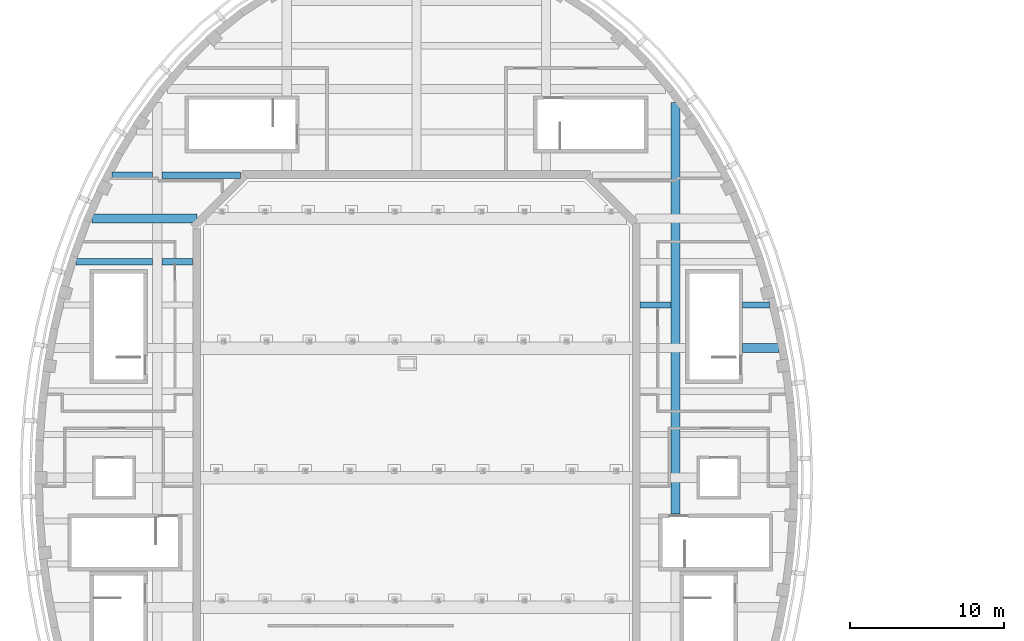
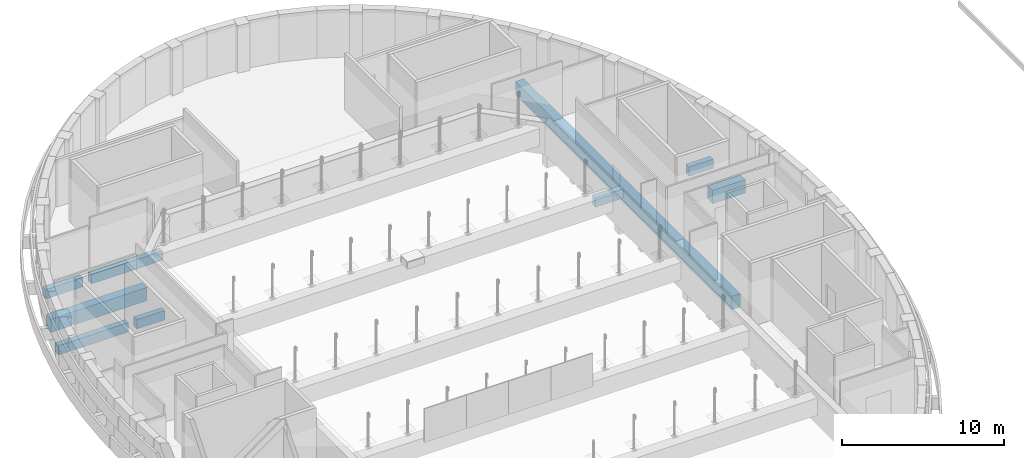
# One storey, part 17 of 47: 9 beams.
"""IFC4 building model written with IfcOpenShell, lengths in metres."""

from ifc_helpers import new_model, si_unit, direction, frame, origin, origin_2d, place, context, subcontext, project, spatial, rectangle, extrude, material, material_profile, profile_set, type_object, element, save


model = new_model("IFC4")

# Units and contexts
model_context = context("Model", 3, precision=1e-05, world=origin(), true_north=direction((0.0, 1.0)))
body_context = subcontext(model_context, "Body", "Model", "MODEL_VIEW")
ifc_project = project(units=[si_unit("LENGTHUNIT", "METRE"), si_unit("AREAUNIT", "SQUARE_METRE"), si_unit("VOLUMEUNIT", "CUBIC_METRE"), si_unit("PLANEANGLEUNIT", "RADIAN"), si_unit("MASSUNIT", "GRAM", prefix="KILO")], contexts=[model_context])

# Site, building, storey
site_placement = place(None, origin())
site = spatial("IfcSite", under=ifc_project, at=site_placement, CompositionType="ELEMENT")
building_placement = place(site_placement, origin())
building = spatial("IfcBuilding", under=site, at=building_placement, Name="Larchfold Concert Hall", CompositionType="ELEMENT")
storey_placement = place(building_placement, frame((0.0, 0.0, 24.0)))
storey = spatial("IfcBuildingStorey", under=building, at=storey_placement, Name="L05", CompositionType="ELEMENT", Elevation=24.0)

# Beams
ifc_material_1 = material(Name="Concrete C35/45", Category="concrete")
ifc_material_profile_1 = material_profile(ifc_material_1, rectangle(XDim=0.39990234375, YDim=0.699951171875, at=origin_2d()))
ifc_profile_set_1 = profile_set([ifc_material_profile_1], Name="Concrete C35/45")
beam_type_1 = type_object("IfcBeamType", Name="Beam RC 400x700", PredefinedType="BEAM", material=ifc_profile_set_1)
beam_1_placement = place(storey_placement, frame((57.110107421875, 95.800048828125, -0.550048828125), z_axis=(1.0, 0.0, 0.0), x_axis=(0.0, 1.0, 0.0)))
element("IfcBeam", 1, at=beam_1_placement, inside=storey, type_object=beam_type_1, Name="Beam B1578", PredefinedType="BEAM", context=body_context, shape_type="SweptSolid", body=[
    extrude(rectangle(XDim=0.39990234375, YDim=0.699951171875, at=origin_2d()), origin(), (0.0, 0.0, 1.0), 1.989990234375),
])
beam_2_placement = place(storey_placement, frame((63.75, 95.800048828125, -0.550048828125), z_axis=(1.0, 0.0, 0.0), x_axis=(0.0, 1.0, 0.0)))
element("IfcBeam", 2, at=beam_2_placement, inside=storey, type_object=beam_type_1, Name="Beam B1579", PredefinedType="BEAM", context=body_context, shape_type="SweptSolid", body=[
    extrude(rectangle(XDim=0.39990234375, YDim=0.699951171875, at=origin_2d()), origin(), (0.0, 0.0, 1.0), 1.72998046875),
])
beam_3_placement = place(storey_placement, frame((20.523681640625, 98.60009765625, -0.550048828125), z_axis=(1.0, 0.0, 0.0), x_axis=(0.0, 1.0, 0.0)))
element("IfcBeam", 3, at=beam_3_placement, inside=storey, type_object=beam_type_1, Name="Beam B1580", PredefinedType="BEAM", context=body_context, shape_type="SweptSolid", body=[
    extrude(rectangle(XDim=0.39990234375, YDim=0.699951171875, at=origin_2d()), origin(), (0.0, 0.0, 1.0), 4.976318359375),
])
beam_4_placement = place(storey_placement, frame((26.10009765625, 98.60009765625, -0.550048828125), z_axis=(1.0, 0.0, 0.0), x_axis=(0.0, 1.0, 0.0)))
element("IfcBeam", 4, at=beam_4_placement, inside=storey, type_object=beam_type_1, Name="Beam B1581", PredefinedType="BEAM", context=body_context, shape_type="SweptSolid", body=[
    extrude(rectangle(XDim=0.39990234375, YDim=0.699951171875, at=origin_2d()), origin(), (0.0, 0.0, 1.0), 1.989990234375),
])
beam_5_placement = place(storey_placement, frame((22.86083984375, 104.199951171875, -0.550048828125), z_axis=(1.0, 0.0, 0.0), x_axis=(0.0, 1.0, 0.0)))
element("IfcBeam", 5, at=beam_5_placement, inside=storey, type_object=beam_type_1, Name="Beam B1584", PredefinedType="BEAM", context=body_context, shape_type="SweptSolid", body=[
    extrude(rectangle(XDim=0.39990234375, YDim=0.699951171875, at=origin_2d()), origin(), (0.0, 0.0, 1.0), 2.63916015625),
])
beam_6_placement = place(storey_placement, frame((26.10009765625, 104.199951171875, -0.550048828125), z_axis=(1.0, 0.0, 0.0), x_axis=(0.0, 1.0, 0.0)))
element("IfcBeam", 6, at=beam_6_placement, inside=storey, type_object=beam_type_1, Name="Beam B1585", PredefinedType="BEAM", context=body_context, shape_type="SweptSolid", body=[
    extrude(rectangle(XDim=0.39990234375, YDim=0.699951171875, at=origin_2d()), origin(), (0.0, 0.0, 1.0), 5.085693359375),
])
ifc_material_2 = material(Name="Concrete C35/45", Category="concrete")
ifc_material_profile_2 = material_profile(ifc_material_2, rectangle(XDim=0.60009765625, YDim=1.0, at=origin_2d()))
ifc_profile_set_2 = profile_set([ifc_material_profile_2], Name="Concrete C35/45")
beam_type_2 = type_object("IfcBeamType", Name="Beam RC 600x1000", PredefinedType="BEAM", material=ifc_profile_set_2)
beam_7_placement = place(storey_placement, frame((59.39990234375, 82.25, -0.699951171875), z_axis=(0.0, 1.0, 0.0), x_axis=(-1.0, 0.0, 0.0)))
element("IfcBeam", 7, at=beam_7_placement, inside=storey, type_object=beam_type_2, Name="Beam B1531", PredefinedType="BEAM", context=body_context, shape_type="SweptSolid", body=[
    extrude(rectangle(XDim=0.60009765625, YDim=1.0, at=origin_2d()), origin(), (0.0, 0.0, 1.0), 26.68310546875),
])
beam_8_placement = place(storey_placement, frame((63.75, 93.0, -0.699951171875), z_axis=(1.0, 0.0, 0.0), x_axis=(0.0, 1.0, 0.0)))
element("IfcBeam", 8, at=beam_8_placement, inside=storey, type_object=beam_type_2, Name="Beam B1545", PredefinedType="BEAM", context=body_context, shape_type="SweptSolid", body=[
    extrude(rectangle(XDim=0.60009765625, YDim=1.0, at=origin_2d()), origin(), (0.0, 0.0, 1.0), 2.33984375),
])
beam_9_placement = place(storey_placement, frame((21.556884765625, 101.39990234375, -0.699951171875), z_axis=(1.0, 0.0, 0.0), x_axis=(0.0, 1.0, 0.0)))
element("IfcBeam", 9, at=beam_9_placement, inside=storey, type_object=beam_type_2, Name="Beam B1546", PredefinedType="BEAM", context=body_context, shape_type="SweptSolid", body=[
    extrude(rectangle(XDim=0.60009765625, YDim=1.0, at=origin_2d()), origin(), (0.0, 0.0, 1.0), 6.828857421875),
])

save(model, "model.ifc")
